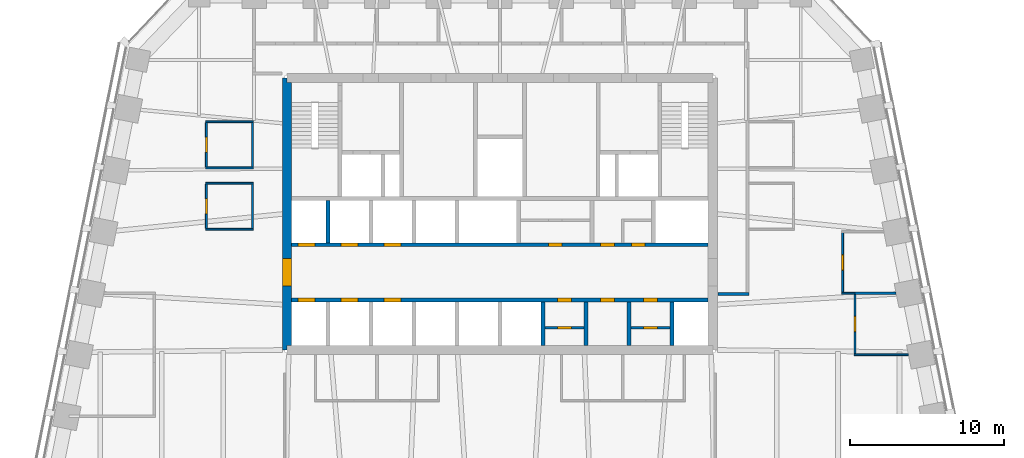
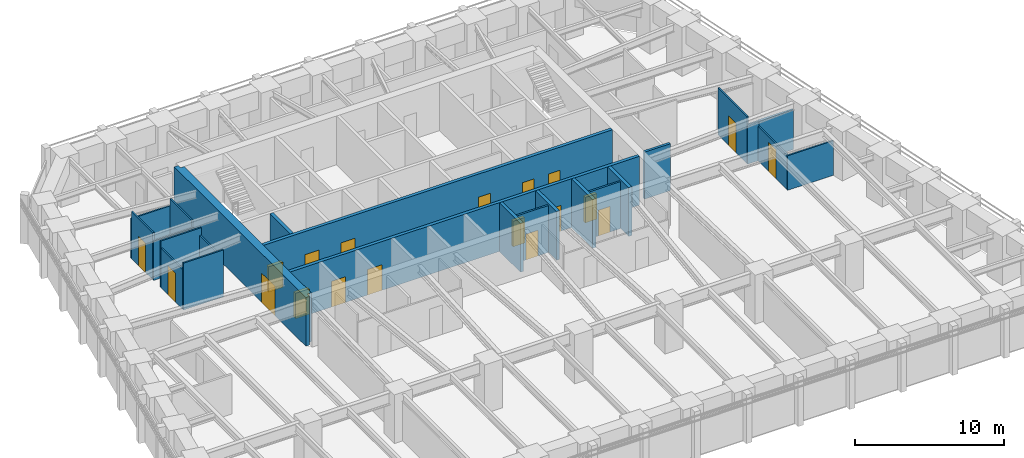
# One storey, part 6 of 10: 24 walls, 19 doors, 19 openings.
"""IFC4 building model written with IfcOpenShell, lengths in metres."""

from ifc_helpers import new_model, si_unit, direction, frame, frame_2d, origin, place, context, subcontext, project, spatial, polyline, rectangle, outline, extrude, material, layer, layer_set, type_object, element, fill, save


model = new_model("IFC4")

# Units and contexts
model_context = context("Model", 3, precision=1e-05, world=origin(), true_north=direction((0.0, 1.0)))
body_context = subcontext(model_context, "Body", "Model", "MODEL_VIEW")
ifc_project = project(units=[si_unit("LENGTHUNIT", "METRE"), si_unit("AREAUNIT", "SQUARE_METRE"), si_unit("VOLUMEUNIT", "CUBIC_METRE"), si_unit("PLANEANGLEUNIT", "RADIAN"), si_unit("MASSUNIT", "GRAM", prefix="KILO")], contexts=[model_context])

# Site, building, storey
site_placement = place(None, origin())
site = spatial("IfcSite", under=ifc_project, at=site_placement, CompositionType="ELEMENT")
building_placement = place(site_placement, origin())
building = spatial("IfcBuilding", under=site, at=building_placement, Name="Isbrekke Arena Tower", CompositionType="ELEMENT")
storey_placement = place(building_placement, frame((0.0, 0.0, 222.0)))
storey = spatial("IfcBuildingStorey", under=building, at=storey_placement, Name="L51", CompositionType="ELEMENT", Elevation=222.0)

# Wall, opening, door
ifc_material_1 = material(Name="Concrete B55 (C55/67)", Category="concrete")
ifc_layer_1 = layer(ifc_material_1, 0.60009765625)
ifc_layer_set_1 = layer_set([ifc_layer_1], Name="CW4 CORE WALL 600")
wall_type_1 = type_object("IfcWallType", Name="CW4 CORE WALL 600", PredefinedType="SHEAR", material=ifc_layer_set_1)
wall_1_placement = place(storey_placement, frame((-13.85009765625, 23.85009765625, 0.0), z_axis=(0.0, 0.0, 1.0), x_axis=(0.0, -1.0, 0.0)))
wall_1 = element("IfcWall", 1, at=wall_1_placement, inside=storey, type_object=wall_type_1, Name="Core wall W L51", PredefinedType="SHEAR", context=body_context, shape_type="SweptSolid", body=[
    extrude(outline(polyline([(0.0, -0.300048828125), (17.7001953125, -0.300048828125), (17.7001953125, 0.0), (17.400146484375, 0.0), (17.400146484375, 0.300048828125), (0.300048828125, 0.300048828125), (0.300048828125, 0.0), (0.0, 0.0), (0.0, -0.300048828125)])), origin(), (0.0, 0.0, 1.0), 4.0),
])
opening_1_placement = place(wall_1_placement, frame((11.75, 0.0, 0.0)))
opening_1 = element("IfcOpeningElement", 2, at=opening_1_placement, cuts=wall_1, Name="Opening D1", PredefinedType="OPENING", context=body_context, shape_type="SweptSolid", body=[
    extrude(rectangle(XDim=1.800048828125, YDim=2.39990234375, at=frame_2d((0.89990234375, 1.199951171875))), frame((0.0, 0.31494140625, 0.0), z_axis=(0.0, -1.0, 0.0), x_axis=(1.0, 0.0, 0.0)), (0.0, 0.0, 1.0), 0.6298828125),
])
ifc_material_2 = material(Name="Steel-framed glazed fire door", Category="steel")
door_type_1 = type_object("IfcDoorType", Name="D1 CORE LOBBY DOOR 1800 x 2400", OperationType="DOUBLE_DOOR_SINGLE_SWING", PredefinedType="DOOR", material=ifc_material_2)
door_1_placement = place(opening_1_placement, origin())
door_1 = element("IfcDoor", 3, at=door_1_placement, inside=storey, type_object=door_type_1, Name="D1 lift lobby door west L51", OperationType="DOUBLE_DOOR_SINGLE_SWING", OverallHeight=2.39990234375, OverallWidth=1.800048828125, PredefinedType="DOOR", context=body_context, shape_type="SweptSolid", body=[
    extrude(rectangle(XDim=1.800048828125, YDim=2.39990234375, at=frame_2d((0.89990234375, 1.199951171875))), frame((0.0, 0.2998046875, 0.0), z_axis=(0.0, -1.0, 0.0), x_axis=(1.0, 0.0, 0.0)), (0.0, 0.0, 1.0), 0.599609375),
])
fill(opening_1, door_1)

# Wall, openings, doors
ifc_material_3 = material(Name="Concrete B45 (C45/55)", Category="concrete")
ifc_layer_2 = layer(ifc_material_3, 0.25)
ifc_layer_set_2 = layer_set([ifc_layer_2], Name="CW6 SHAFT WALL 250")
wall_type_2 = type_object("IfcWallType", Name="CW6 SHAFT WALL 250", PredefinedType="SHEAR", material=ifc_layer_set_2)
wall_2_placement = place(storey_placement, frame((-13.550048828125, 9.39990234375, 0.0), z_axis=(0.0, 0.0, 1.0), x_axis=(1.0, 0.0, 0.0)))
wall_2 = element("IfcWall", 4, at=wall_2_placement, inside=storey, type_object=wall_type_2, Name="Core wall LS L51", PredefinedType="SHEAR", context=body_context, shape_type="SweptSolid", body=[
    extrude(rectangle(XDim=27.10009765625, YDim=0.25, at=frame_2d((13.550048828125, 0.0))), origin(), (0.0, 0.0, 1.0), 4.0),
])
opening_2_placement = place(wall_2_placement, frame((0.39990234375, 0.0, 0.0)))
opening_2 = element("IfcOpeningElement", 5, at=opening_2_placement, cuts=wall_2, Name="Opening LD1", PredefinedType="OPENING", context=body_context, shape_type="SweptSolid", body=[
    extrude(rectangle(XDim=1.10009765625, YDim=2.10009765625, at=frame_2d((0.550048828125, 1.050048828125))), frame((0.0, 0.139892578125, 0.0), z_axis=(0.0, -1.0, 0.0), x_axis=(1.0, 0.0, 0.0)), (0.0, 0.0, 1.0), 0.27978515625),
])
opening_3_placement = place(wall_2_placement, frame((3.199951171875, 0.0, 0.0)))
opening_3 = element("IfcOpeningElement", 6, at=opening_3_placement, cuts=wall_2, Name="Opening LD1", PredefinedType="OPENING", context=body_context, shape_type="SweptSolid", body=[
    extrude(rectangle(XDim=1.10009765625, YDim=2.10009765625, at=frame_2d((0.550048828125, 1.050048828125))), frame((0.0, 0.139892578125, 0.0), z_axis=(0.0, -1.0, 0.0), x_axis=(1.0, 0.0, 0.0)), (0.0, 0.0, 1.0), 0.27978515625),
])
opening_4_placement = place(wall_2_placement, frame((6.0, 0.0, 0.0)))
opening_4 = element("IfcOpeningElement", 7, at=opening_4_placement, cuts=wall_2, Name="Opening LD1", PredefinedType="OPENING", context=body_context, shape_type="SweptSolid", body=[
    extrude(rectangle(XDim=1.10009765625, YDim=2.10009765625, at=frame_2d((0.550048828125, 1.050048828125))), frame((0.0, 0.139892578125, 0.0), z_axis=(0.0, -1.0, 0.0), x_axis=(1.0, 0.0, 0.0)), (0.0, 0.0, 1.0), 0.27978515625),
])
opening_5_placement = place(wall_2_placement, frame((17.300048828125, 0.0, 0.0)))
opening_5 = element("IfcOpeningElement", 8, at=opening_5_placement, cuts=wall_2, Name="Opening D5", PredefinedType="OPENING", context=body_context, shape_type="SweptSolid", body=[
    extrude(rectangle(XDim=0.89990234375, YDim=2.10009765625, at=frame_2d((0.449951171875, 1.050048828125))), frame((0.0, 0.139892578125, 0.0), z_axis=(0.0, -1.0, 0.0), x_axis=(1.0, 0.0, 0.0)), (0.0, 0.0, 1.0), 0.27978515625),
])
opening_6_placement = place(wall_2_placement, frame((20.10009765625, 0.0, 0.0)))
opening_6 = element("IfcOpeningElement", 9, at=opening_6_placement, cuts=wall_2, Name="Opening D5", PredefinedType="OPENING", context=body_context, shape_type="SweptSolid", body=[
    extrude(rectangle(XDim=0.89990234375, YDim=2.10009765625, at=frame_2d((0.449951171875, 1.050048828125))), frame((0.0, 0.139892578125, 0.0), z_axis=(0.0, -1.0, 0.0), x_axis=(1.0, 0.0, 0.0)), (0.0, 0.0, 1.0), 0.27978515625),
])
opening_7_placement = place(wall_2_placement, frame((22.89990234375, 0.0, 0.0)))
opening_7 = element("IfcOpeningElement", 10, at=opening_7_placement, cuts=wall_2, Name="Opening D5", PredefinedType="OPENING", context=body_context, shape_type="SweptSolid", body=[
    extrude(rectangle(XDim=0.89990234375, YDim=2.10009765625, at=frame_2d((0.449951171875, 1.050048828125))), frame((0.0, 0.139892578125, 0.0), z_axis=(0.0, -1.0, 0.0), x_axis=(1.0, 0.0, 0.0)), (0.0, 0.0, 1.0), 0.27978515625),
])
ifc_material_4 = material(Name="Steel fire door", Category="steel")
door_type_2 = type_object("IfcDoorType", Name="D5 SERVICE DOOR 900 x 2100", OperationType="SINGLE_SWING_LEFT", PredefinedType="DOOR", material=ifc_material_4)
door_2_placement = place(opening_5_placement, origin())
door_2 = element("IfcDoor", 11, at=door_2_placement, inside=storey, type_object=door_type_2, Name="D5 tea point door L51", OperationType="SINGLE_SWING_LEFT", OverallHeight=2.10009765625, OverallWidth=0.89990234375, PredefinedType="DOOR", context=body_context, shape_type="SweptSolid", body=[
    extrude(rectangle(XDim=0.89990234375, YDim=2.10009765625, at=frame_2d((0.449951171875, 1.050048828125))), frame((0.0, 0.124755859375, 0.0), z_axis=(0.0, -1.0, 0.0), x_axis=(1.0, 0.0, 0.0)), (0.0, 0.0, 1.0), 0.24951171875),
])
fill(opening_5, door_2)
door_3_placement = place(opening_6_placement, origin())
door_3 = element("IfcDoor", 12, at=door_3_placement, inside=storey, type_object=door_type_2, Name="D5 technical room door L51", OperationType="SINGLE_SWING_LEFT", OverallHeight=2.10009765625, OverallWidth=0.89990234375, PredefinedType="DOOR", context=body_context, shape_type="SweptSolid", body=[
    extrude(rectangle(XDim=0.89990234375, YDim=2.10009765625, at=frame_2d((0.449951171875, 1.050048828125))), frame((0.0, 0.124755859375, 0.0), z_axis=(0.0, -1.0, 0.0), x_axis=(1.0, 0.0, 0.0)), (0.0, 0.0, 1.0), 0.24951171875),
])
fill(opening_6, door_3)
door_4_placement = place(opening_7_placement, origin())
door_4 = element("IfcDoor", 13, at=door_4_placement, inside=storey, type_object=door_type_2, Name="D5 first-aid room door L51", OperationType="SINGLE_SWING_LEFT", OverallHeight=2.10009765625, OverallWidth=0.89990234375, PredefinedType="DOOR", context=body_context, shape_type="SweptSolid", body=[
    extrude(rectangle(XDim=0.89990234375, YDim=2.10009765625, at=frame_2d((0.449951171875, 1.050048828125))), frame((0.0, 0.124755859375, 0.0), z_axis=(0.0, -1.0, 0.0), x_axis=(1.0, 0.0, 0.0)), (0.0, 0.0, 1.0), 0.24951171875),
])
fill(opening_7, door_4)
ifc_material_5 = material(Name="Stainless steel lift landing door", Category="steel")
door_type_3 = type_object("IfcDoorType", Name="LD1 LIFT LANDING DOOR 1100 x 2100", OperationType="SLIDING_TO_LEFT", PredefinedType="DOOR", material=ifc_material_5)
door_5_placement = place(opening_2_placement, origin())
door_5 = element("IfcDoor", 14, at=door_5_placement, inside=storey, type_object=door_type_3, Name="LD1 lift landing door LC L51", OperationType="SLIDING_TO_LEFT", OverallHeight=2.10009765625, OverallWidth=1.10009765625, PredefinedType="DOOR", context=body_context, shape_type="SweptSolid", body=[
    extrude(rectangle(XDim=1.10009765625, YDim=2.10009765625, at=frame_2d((0.550048828125, 1.050048828125))), frame((0.0, 0.124755859375, 0.0), z_axis=(0.0, -1.0, 0.0), x_axis=(1.0, 0.0, 0.0)), (0.0, 0.0, 1.0), 0.24951171875),
])
fill(opening_2, door_5)
door_6_placement = place(opening_3_placement, origin())
door_6 = element("IfcDoor", 15, at=door_6_placement, inside=storey, type_object=door_type_3, Name="LD1 lift landing door LC L51", OperationType="SLIDING_TO_LEFT", OverallHeight=2.10009765625, OverallWidth=1.10009765625, PredefinedType="DOOR", context=body_context, shape_type="SweptSolid", body=[
    extrude(rectangle(XDim=1.10009765625, YDim=2.10009765625, at=frame_2d((0.550048828125, 1.050048828125))), frame((0.0, 0.124755859375, 0.0), z_axis=(0.0, -1.0, 0.0), x_axis=(1.0, 0.0, 0.0)), (0.0, 0.0, 1.0), 0.24951171875),
])
fill(opening_3, door_6)
door_7_placement = place(opening_4_placement, origin())
door_7 = element("IfcDoor", 16, at=door_7_placement, inside=storey, type_object=door_type_3, Name="LD1 lift landing door LC L51", OperationType="SLIDING_TO_LEFT", OverallHeight=2.10009765625, OverallWidth=1.10009765625, PredefinedType="DOOR", context=body_context, shape_type="SweptSolid", body=[
    extrude(rectangle(XDim=1.10009765625, YDim=2.10009765625, at=frame_2d((0.550048828125, 1.050048828125))), frame((0.0, 0.124755859375, 0.0), z_axis=(0.0, -1.0, 0.0), x_axis=(1.0, 0.0, 0.0)), (0.0, 0.0, 1.0), 0.24951171875),
])
fill(opening_4, door_7)

wall_3_placement = place(storey_placement, frame((-13.550048828125, 13.0, 0.0), z_axis=(0.0, 0.0, 1.0), x_axis=(1.0, 0.0, 0.0)))
wall_3 = element("IfcWall", 17, at=wall_3_placement, inside=storey, type_object=wall_type_2, Name="Core wall LN L51", PredefinedType="SHEAR", context=body_context, shape_type="SweptSolid", body=[
    extrude(rectangle(XDim=27.10009765625, YDim=0.25, at=frame_2d((13.550048828125, 0.0))), origin(), (0.0, 0.0, 1.0), 4.0),
])
opening_8_placement = place(wall_3_placement, frame((0.39990234375, 0.0, 0.0)))
opening_8 = element("IfcOpeningElement", 18, at=opening_8_placement, cuts=wall_3, Name="Opening LD1", PredefinedType="OPENING", context=body_context, shape_type="SweptSolid", body=[
    extrude(rectangle(XDim=1.10009765625, YDim=2.10009765625, at=frame_2d((0.550048828125, 1.050048828125))), frame((0.0, 0.139892578125, 0.0), z_axis=(0.0, -1.0, 0.0), x_axis=(1.0, 0.0, 0.0)), (0.0, 0.0, 1.0), 0.27978515625),
])
opening_9_placement = place(wall_3_placement, frame((3.199951171875, 0.0, 0.0)))
opening_9 = element("IfcOpeningElement", 19, at=opening_9_placement, cuts=wall_3, Name="Opening LD1", PredefinedType="OPENING", context=body_context, shape_type="SweptSolid", body=[
    extrude(rectangle(XDim=1.10009765625, YDim=2.10009765625, at=frame_2d((0.550048828125, 1.050048828125))), frame((0.0, 0.139892578125, 0.0), z_axis=(0.0, -1.0, 0.0), x_axis=(1.0, 0.0, 0.0)), (0.0, 0.0, 1.0), 0.27978515625),
])
opening_10_placement = place(wall_3_placement, frame((6.0, 0.0, 0.0)))
opening_10 = element("IfcOpeningElement", 20, at=opening_10_placement, cuts=wall_3, Name="Opening LD1", PredefinedType="OPENING", context=body_context, shape_type="SweptSolid", body=[
    extrude(rectangle(XDim=1.10009765625, YDim=2.10009765625, at=frame_2d((0.550048828125, 1.050048828125))), frame((0.0, 0.139892578125, 0.0), z_axis=(0.0, -1.0, 0.0), x_axis=(1.0, 0.0, 0.0)), (0.0, 0.0, 1.0), 0.27978515625),
])
opening_11_placement = place(wall_3_placement, frame((16.699951171875, 0.0, 0.0)))
opening_11 = element("IfcOpeningElement", 21, at=opening_11_placement, cuts=wall_3, Name="Opening D5", PredefinedType="OPENING", context=body_context, shape_type="SweptSolid", body=[
    extrude(rectangle(XDim=0.89990234375, YDim=2.10009765625, at=frame_2d((0.449951171875, 1.050048828125))), frame((0.0, 0.139892578125, 0.0), z_axis=(0.0, -1.0, 0.0), x_axis=(1.0, 0.0, 0.0)), (0.0, 0.0, 1.0), 0.27978515625),
])
opening_12_placement = place(wall_3_placement, frame((20.10009765625, 0.0, 0.0)))
opening_12 = element("IfcOpeningElement", 22, at=opening_12_placement, cuts=wall_3, Name="Opening D5", PredefinedType="OPENING", context=body_context, shape_type="SweptSolid", body=[
    extrude(rectangle(XDim=0.89990234375, YDim=2.10009765625, at=frame_2d((0.449951171875, 1.050048828125))), frame((0.0, 0.139892578125, 0.0), z_axis=(0.0, -1.0, 0.0), x_axis=(1.0, 0.0, 0.0)), (0.0, 0.0, 1.0), 0.27978515625),
])
opening_13_placement = place(wall_3_placement, frame((22.10009765625, 0.0, 0.0)))
opening_13 = element("IfcOpeningElement", 23, at=opening_13_placement, cuts=wall_3, Name="Opening D5", PredefinedType="OPENING", context=body_context, shape_type="SweptSolid", body=[
    extrude(rectangle(XDim=0.89990234375, YDim=2.10009765625, at=frame_2d((0.449951171875, 1.050048828125))), frame((0.0, 0.139892578125, 0.0), z_axis=(0.0, -1.0, 0.0), x_axis=(1.0, 0.0, 0.0)), (0.0, 0.0, 1.0), 0.27978515625),
])
door_8_placement = place(opening_11_placement, origin())
door_8 = element("IfcDoor", 24, at=door_8_placement, inside=storey, type_object=door_type_2, Name="D5 print room door L51", OperationType="SINGLE_SWING_LEFT", OverallHeight=2.10009765625, OverallWidth=0.89990234375, PredefinedType="DOOR", context=body_context, shape_type="SweptSolid", body=[
    extrude(rectangle(XDim=0.89990234375, YDim=2.10009765625, at=frame_2d((0.449951171875, 1.050048828125))), frame((0.0, 0.124755859375, 0.0), z_axis=(0.0, -1.0, 0.0), x_axis=(1.0, 0.0, 0.0)), (0.0, 0.0, 1.0), 0.24951171875),
])
fill(opening_11, door_8)
door_9_placement = place(opening_12_placement, origin())
door_9 = element("IfcDoor", 25, at=door_9_placement, inside=storey, type_object=door_type_2, Name="D5 communications room door L51", OperationType="SINGLE_SWING_LEFT", OverallHeight=2.10009765625, OverallWidth=0.89990234375, PredefinedType="DOOR", context=body_context, shape_type="SweptSolid", body=[
    extrude(rectangle(XDim=0.89990234375, YDim=2.10009765625, at=frame_2d((0.449951171875, 1.050048828125))), frame((0.0, 0.124755859375, 0.0), z_axis=(0.0, -1.0, 0.0), x_axis=(1.0, 0.0, 0.0)), (0.0, 0.0, 1.0), 0.24951171875),
])
fill(opening_12, door_9)
door_10_placement = place(opening_13_placement, origin())
door_10 = element("IfcDoor", 26, at=door_10_placement, inside=storey, type_object=door_type_2, Name="D5 cleaner's store door L51", OperationType="SINGLE_SWING_LEFT", OverallHeight=2.10009765625, OverallWidth=0.89990234375, PredefinedType="DOOR", context=body_context, shape_type="SweptSolid", body=[
    extrude(rectangle(XDim=0.89990234375, YDim=2.10009765625, at=frame_2d((0.449951171875, 1.050048828125))), frame((0.0, 0.124755859375, 0.0), z_axis=(0.0, -1.0, 0.0), x_axis=(1.0, 0.0, 0.0)), (0.0, 0.0, 1.0), 0.24951171875),
])
fill(opening_13, door_10)
door_11_placement = place(opening_8_placement, origin())
door_11 = element("IfcDoor", 27, at=door_11_placement, inside=storey, type_object=door_type_3, Name="LD1 lift landing door LC L51", OperationType="SLIDING_TO_LEFT", OverallHeight=2.10009765625, OverallWidth=1.10009765625, PredefinedType="DOOR", context=body_context, shape_type="SweptSolid", body=[
    extrude(rectangle(XDim=1.10009765625, YDim=2.10009765625, at=frame_2d((0.550048828125, 1.050048828125))), frame((0.0, 0.124755859375, 0.0), z_axis=(0.0, -1.0, 0.0), x_axis=(1.0, 0.0, 0.0)), (0.0, 0.0, 1.0), 0.24951171875),
])
fill(opening_8, door_11)
door_12_placement = place(opening_9_placement, origin())
door_12 = element("IfcDoor", 28, at=door_12_placement, inside=storey, type_object=door_type_3, Name="LD1 lift landing door LC L51", OperationType="SLIDING_TO_LEFT", OverallHeight=2.10009765625, OverallWidth=1.10009765625, PredefinedType="DOOR", context=body_context, shape_type="SweptSolid", body=[
    extrude(rectangle(XDim=1.10009765625, YDim=2.10009765625, at=frame_2d((0.550048828125, 1.050048828125))), frame((0.0, 0.124755859375, 0.0), z_axis=(0.0, -1.0, 0.0), x_axis=(1.0, 0.0, 0.0)), (0.0, 0.0, 1.0), 0.24951171875),
])
fill(opening_9, door_12)
door_13_placement = place(opening_10_placement, origin())
door_13 = element("IfcDoor", 29, at=door_13_placement, inside=storey, type_object=door_type_3, Name="LD1 lift landing door LC L51", OperationType="SLIDING_TO_LEFT", OverallHeight=2.10009765625, OverallWidth=1.10009765625, PredefinedType="DOOR", context=body_context, shape_type="SweptSolid", body=[
    extrude(rectangle(XDim=1.10009765625, YDim=2.10009765625, at=frame_2d((0.550048828125, 1.050048828125))), frame((0.0, 0.124755859375, 0.0), z_axis=(0.0, -1.0, 0.0), x_axis=(1.0, 0.0, 0.0)), (0.0, 0.0, 1.0), 0.24951171875),
])
fill(opening_10, door_13)

# Walls
for number, where, z_axis, x_axis, name in (
    (30, (2.800048828125, 6.449951171875, 0.0), (0.0, 0.0, 1.0), (0.0, 1.0, 0.0), "Core wall SS06 L51"),
    (31, (5.60009765625, 6.449951171875, 0.0), (0.0, 0.0, 1.0), (0.0, 1.0, 0.0), "Core wall SS07 L51"),
    (32, (8.39990234375, 6.449951171875, 0.0), (0.0, 0.0, 1.0), (0.0, 1.0, 0.0), "Core wall SS08 L51"),
    (33, (11.199951171875, 6.449951171875, 0.0), (0.0, 0.0, 1.0), (0.0, 1.0, 0.0), "Core wall SS09 L51"),
):
    element("IfcWall", number, at=place(storey_placement, frame(where, z_axis=z_axis, x_axis=x_axis)), inside=storey, type_object=wall_type_2, Name=name, PredefinedType="SHEAR", context=body_context, shape_type="SweptSolid", body=[
        extrude(rectangle(XDim=2.824951171875, YDim=0.25, at=frame_2d((1.41259765625, 0.0))), origin(), (0.0, 0.0, 1.0), 4.0),
    ])
wall_4_placement = place(storey_placement, frame((-11.199951171875, 13.125, 0.0), z_axis=(0.0, 0.0, 1.0), x_axis=(0.0, 1.0, 0.0)))
element("IfcWall", 34, at=wall_4_placement, inside=storey, type_object=wall_type_2, Name="Core wall SN01 L51", PredefinedType="SHEAR", context=body_context, shape_type="SweptSolid", body=[
    extrude(rectangle(XDim=2.75, YDim=0.25, at=frame_2d((1.375, 0.0))), origin(), (0.0, 0.0, 1.0), 4.0),
])
ifc_material_6 = material(Name="Frameless glazed partition, laminated acoustic glass", Category="glass")
ifc_layer_3 = layer(ifc_material_6, 0.1201171875)
ifc_layer_set_3 = layer_set([ifc_layer_3], Name="IW2 GLAZED PARTITION 120")
wall_type_3 = type_object("IfcWallType", Name="IW2 GLAZED PARTITION 120", PredefinedType="PARTITIONING", material=ifc_layer_set_3)
wall_5_placement = place(storey_placement, frame((23.0400390625, 5.840087890625, 0.0), z_axis=(0.0, 0.0, 1.0), x_axis=(1.0, 0.0, 0.0)))
element("IfcWall", 35, at=wall_5_placement, inside=storey, type_object=wall_type_3, Name="IW2 glazed partition 120 L51", PredefinedType="PARTITIONING", context=body_context, shape_type="SweptSolid", body=[
    extrude(rectangle(XDim=3.53466796875, YDim=0.1201171875, at=frame_2d((1.767333984375, 0.0))), origin(), (0.0, 0.0, 1.0), 2.842041015625),
])
wall_6_placement = place(storey_placement, frame((22.239990234375, 9.840087890625, 0.0), z_axis=(0.0, 0.0, 1.0), x_axis=(1.0, 0.0, 0.0)))
element("IfcWall", 36, at=wall_6_placement, inside=storey, type_object=wall_type_3, Name="IW2 glazed partition 120 L51", PredefinedType="PARTITIONING", context=body_context, shape_type="SweptSolid", body=[
    extrude(rectangle(XDim=0.860107421875, YDim=0.1201171875, at=frame_2d((0.43017578125, 0.0))), origin(), (0.0, 0.0, 1.0), 3.25),
])
for number, where, z_axis, x_axis, name in (
    (37, (-19.159912109375, 14.0, 0.0), (0.0, 0.0, 1.0), (1.0, 0.0, 0.0), "IW2 glazed partition 120 L51"),
    (38, (-19.159912109375, 17.0, 0.0), (0.0, 0.0, 1.0), (1.0, 0.0, 0.0), "IW2 glazed partition 120 L51"),
):
    element("IfcWall", number, at=place(storey_placement, frame(where, z_axis=z_axis, x_axis=x_axis)), inside=storey, type_object=wall_type_3, Name=name, PredefinedType="PARTITIONING", context=body_context, shape_type="SweptSolid", body=[
        extrude(rectangle(XDim=3.119873046875, YDim=0.1201171875, at=frame_2d((1.56005859375, 0.0))), origin(), (0.0, 0.0, 1.0), 3.85009765625),
    ])
for number, where, z_axis, x_axis, name in (
    (39, (-19.159912109375, 18.0, 0.0), (0.0, 0.0, 1.0), (1.0, 0.0, 0.0), "IW2 glazed partition 120 L51"),
    (40, (-19.159912109375, 21.0, 0.0), (0.0, 0.0, 1.0), (1.0, 0.0, 0.0), "IW2 glazed partition 120 L51"),
):
    element("IfcWall", number, at=place(storey_placement, frame(where, z_axis=z_axis, x_axis=x_axis)), inside=storey, type_object=wall_type_3, Name=name, PredefinedType="PARTITIONING", context=body_context, shape_type="SweptSolid", body=[
        extrude(rectangle(XDim=3.119873046875, YDim=0.1201171875, at=frame_2d((1.56005859375, 0.0))), origin(), (0.0, 0.0, 1.0), 3.25),
    ])

# Wall, opening, door
wall_7_placement = place(storey_placement, frame((-19.10009765625, 14.06005859375, 0.0), z_axis=(0.0, 0.0, 1.0), x_axis=(0.0, 1.0, 0.0)))
wall_7 = element("IfcWall", 41, at=wall_7_placement, inside=storey, type_object=wall_type_3, Name="IW2 glazed partition 120 L51", PredefinedType="PARTITIONING", context=body_context, shape_type="SweptSolid", body=[
    extrude(rectangle(XDim=2.8798828125, YDim=0.1201171875, at=frame_2d((1.43994140625, 0.0))), origin(), (0.0, 0.0, 1.0), 3.25),
])
opening_14_placement = place(wall_7_placement, frame((0.93994140625, 0.0, 0.0)))
opening_14 = element("IfcOpeningElement", 42, at=opening_14_placement, cuts=wall_7, Name="Opening D11", PredefinedType="OPENING", context=body_context, shape_type="SweptSolid", body=[
    extrude(rectangle(XDim=1.0, YDim=2.39990234375, at=frame_2d((0.5, 1.199951171875))), frame((0.0, 0.074951171875, 0.0), z_axis=(0.0, -1.0, 0.0), x_axis=(1.0, 0.0, 0.0)), (0.0, 0.0, 1.0), 0.14990234375),
])
ifc_material_7 = material(Name="Frameless glazed door", Category="glass")
door_type_4 = type_object("IfcDoorType", Name="D11 GLAZED MEETING ROOM DOOR 1000 x 2400", OperationType="SINGLE_SWING_RIGHT", PredefinedType="DOOR", material=ifc_material_7)
door_14_placement = place(opening_14_placement, origin())
door_14 = element("IfcDoor", 43, at=door_14_placement, inside=storey, type_object=door_type_4, Name="D11 quiet room door L51", OperationType="SINGLE_SWING_RIGHT", OverallHeight=2.39990234375, OverallWidth=1.0, PredefinedType="DOOR", context=body_context, shape_type="SweptSolid", body=[
    extrude(rectangle(XDim=1.0, YDim=2.39990234375, at=frame_2d((0.5, 1.199951171875))), frame((0.0, 0.059814453125, 0.0), z_axis=(0.0, -1.0, 0.0), x_axis=(1.0, 0.0, 0.0)), (0.0, 0.0, 1.0), 0.11962890625),
])
fill(opening_14, door_14)

wall_8_placement = place(storey_placement, frame((-19.10009765625, 18.06005859375, 0.0), z_axis=(0.0, 0.0, 1.0), x_axis=(0.0, 1.0, 0.0)))
wall_8 = element("IfcWall", 44, at=wall_8_placement, inside=storey, type_object=wall_type_3, Name="IW2 glazed partition 120 L51", PredefinedType="PARTITIONING", context=body_context, shape_type="SweptSolid", body=[
    extrude(rectangle(XDim=2.8798828125, YDim=0.1201171875, at=frame_2d((1.43994140625, 0.0))), origin(), (0.0, 0.0, 1.0), 3.85009765625),
])
opening_15_placement = place(wall_8_placement, frame((0.93994140625, 0.0, 0.0)))
opening_15 = element("IfcOpeningElement", 45, at=opening_15_placement, cuts=wall_8, Name="Opening D11", PredefinedType="OPENING", context=body_context, shape_type="SweptSolid", body=[
    extrude(rectangle(XDim=1.0, YDim=2.39990234375, at=frame_2d((0.5, 1.199951171875))), frame((0.0, 0.074951171875, 0.0), z_axis=(0.0, -1.0, 0.0), x_axis=(1.0, 0.0, 0.0)), (0.0, 0.0, 1.0), 0.14990234375),
])
door_15_placement = place(opening_15_placement, origin())
door_15 = element("IfcDoor", 46, at=door_15_placement, inside=storey, type_object=door_type_4, Name="D11 quiet room door L51", OperationType="SINGLE_SWING_RIGHT", OverallHeight=2.39990234375, OverallWidth=1.0, PredefinedType="DOOR", context=body_context, shape_type="SweptSolid", body=[
    extrude(rectangle(XDim=1.0, YDim=2.39990234375, at=frame_2d((0.5, 1.199951171875))), frame((0.0, 0.059814453125, 0.0), z_axis=(0.0, -1.0, 0.0), x_axis=(1.0, 0.0, 0.0)), (0.0, 0.0, 1.0), 0.11962890625),
])
fill(opening_15, door_15)

# Walls
wall_9_placement = place(storey_placement, frame((-16.10009765625, 14.06005859375, 0.0), z_axis=(0.0, 0.0, 1.0), x_axis=(0.0, 1.0, 0.0)))
element("IfcWall", 47, at=wall_9_placement, inside=storey, type_object=wall_type_3, Name="IW2 glazed partition 120 L51", PredefinedType="PARTITIONING", context=body_context, shape_type="SweptSolid", body=[
    extrude(rectangle(XDim=2.8798828125, YDim=0.1201171875, at=frame_2d((1.43994140625, 0.0))), origin(), (0.0, 0.0, 1.0), 3.25),
])
wall_10_placement = place(storey_placement, frame((-16.10009765625, 18.06005859375, 0.0), z_axis=(0.0, 0.0, 1.0), x_axis=(0.0, 1.0, 0.0)))
element("IfcWall", 48, at=wall_10_placement, inside=storey, type_object=wall_type_3, Name="IW2 glazed partition 120 L51", PredefinedType="PARTITIONING", context=body_context, shape_type="SweptSolid", body=[
    extrude(rectangle(XDim=2.8798828125, YDim=0.1201171875, at=frame_2d((1.43994140625, 0.0))), origin(), (0.0, 0.0, 1.0), 3.85009765625),
])

# Wall, opening, door
wall_11_placement = place(storey_placement, frame((22.300048828125, 9.89990234375, 0.0), z_axis=(0.0, 0.0, 1.0), x_axis=(0.0, 1.0, 0.0)))
wall_11 = element("IfcWall", 49, at=wall_11_placement, inside=storey, type_object=wall_type_3, Name="IW2 glazed partition 120 L51", PredefinedType="PARTITIONING", context=body_context, shape_type="SweptSolid", body=[
    extrude(rectangle(XDim=3.880126953125, YDim=0.1201171875, at=frame_2d((1.93994140625, 0.0))), origin(), (0.0, 0.0, 1.0), 3.85009765625),
])
opening_16_placement = place(wall_11_placement, frame((1.43994140625, 0.0, 0.0)))
opening_16 = element("IfcOpeningElement", 50, at=opening_16_placement, cuts=wall_11, Name="Opening D11", PredefinedType="OPENING", context=body_context, shape_type="SweptSolid", body=[
    extrude(rectangle(XDim=1.0, YDim=2.39990234375, at=frame_2d((0.5, 1.199951171875))), frame((0.0, 0.074951171875, 0.0), z_axis=(0.0, -1.0, 0.0), x_axis=(1.0, 0.0, 0.0)), (0.0, 0.0, 1.0), 0.14990234375),
])
door_16_placement = place(opening_16_placement, origin())
door_16 = element("IfcDoor", 51, at=door_16_placement, inside=storey, type_object=door_type_4, Name="D11 meeting room door L51", OperationType="SINGLE_SWING_RIGHT", OverallHeight=2.39990234375, OverallWidth=1.0, PredefinedType="DOOR", context=body_context, shape_type="SweptSolid", body=[
    extrude(rectangle(XDim=1.0, YDim=2.39990234375, at=frame_2d((0.5, 1.199951171875))), frame((0.0, 0.059814453125, 0.0), z_axis=(0.0, -1.0, 0.0), x_axis=(1.0, 0.0, 0.0)), (0.0, 0.0, 1.0), 0.11962890625),
])
fill(opening_16, door_16)

wall_12_placement = place(storey_placement, frame((23.10009765625, 5.89990234375, 0.0), z_axis=(0.0, 0.0, 1.0), x_axis=(0.0, 1.0, 0.0)))
wall_12 = element("IfcWall", 52, at=wall_12_placement, inside=storey, type_object=wall_type_3, Name="IW2 glazed partition 120 L51", PredefinedType="PARTITIONING", context=body_context, shape_type="SweptSolid", body=[
    extrude(rectangle(XDim=3.8525390625, YDim=0.1201171875, at=frame_2d((1.92626953125, 0.0))), origin(), (0.0, 0.0, 1.0), 2.842041015625),
])
opening_17_placement = place(wall_12_placement, frame((1.43994140625, 0.0, 0.0)))
opening_17 = element("IfcOpeningElement", 53, at=opening_17_placement, cuts=wall_12, Name="Opening D11", PredefinedType="OPENING", context=body_context, shape_type="SweptSolid", body=[
    extrude(rectangle(XDim=1.0, YDim=2.39990234375, at=frame_2d((0.5, 1.199951171875))), frame((0.0, 0.074951171875, 0.0), z_axis=(0.0, -1.0, 0.0), x_axis=(1.0, 0.0, 0.0)), (0.0, 0.0, 1.0), 0.14990234375),
])
door_17_placement = place(opening_17_placement, origin())
door_17 = element("IfcDoor", 54, at=door_17_placement, inside=storey, type_object=door_type_4, Name="D11 meeting room door L51", OperationType="SINGLE_SWING_RIGHT", OverallHeight=2.39990234375, OverallWidth=1.0, PredefinedType="DOOR", context=body_context, shape_type="SweptSolid", body=[
    extrude(rectangle(XDim=1.0, YDim=2.39990234375, at=frame_2d((0.5, 1.199951171875))), frame((0.0, 0.059814453125, 0.0), z_axis=(0.0, -1.0, 0.0), x_axis=(1.0, 0.0, 0.0)), (0.0, 0.0, 1.0), 0.11962890625),
])
fill(opening_17, door_17)

# Walls
ifc_material_8 = material(Name="Gypsum board fire-cell wall on steel studs, two layers each side", Category="steel")
ifc_layer_4 = layer(ifc_material_8, 0.199951171875)
ifc_layer_set_4 = layer_set([ifc_layer_4], Name="IW3 FIRE-CELL WALL 200")
wall_type_4 = type_object("IfcWallType", Name="IW3 FIRE-CELL WALL 200", PredefinedType="PARTITIONING", material=ifc_layer_set_4)
wall_13_placement = place(storey_placement, frame((14.179931640625, 9.800048828125, 0.0), z_axis=(0.0, 0.0, 1.0), x_axis=(1.0, 0.0, 0.0)))
element("IfcWall", 55, at=wall_13_placement, inside=storey, type_object=wall_type_4, Name="IW3 fire-cell wall 200 L51", PredefinedType="PARTITIONING", context=body_context, shape_type="SweptSolid", body=[
    extrude(rectangle(XDim=2.02001953125, YDim=0.199951171875, at=frame_2d((1.010009765625, 0.0))), origin(), (0.0, 0.0, 1.0), 3.85009765625),
])
ifc_material_9 = material(Name="Gypsum board acoustic partition on twin steel studs", Category="steel")
ifc_layer_5 = layer(ifc_material_9, 0.175048828125)
ifc_layer_set_5 = layer_set([ifc_layer_5], Name="IW4 ACOUSTIC PARTITION 175")
wall_type_5 = type_object("IfcWallType", Name="IW4 ACOUSTIC PARTITION 175", PredefinedType="PARTITIONING", material=ifc_layer_set_5)
wall_14_placement = place(storey_placement, frame((23.10009765625, 9.840087890625, 0.0), z_axis=(0.0, 0.0, 1.0), x_axis=(1.0, 0.0, 0.0)))
element("IfcWall", 56, at=wall_14_placement, inside=storey, type_object=wall_type_5, Name="IW4 acoustic partition 175 L51", PredefinedType="PARTITIONING", context=body_context, shape_type="SweptSolid", body=[
    extrude(rectangle(XDim=2.6748046875, YDim=0.175048828125, at=frame_2d((1.33740234375, 0.0))), origin(), (0.0, 0.0, 1.0), 3.25),
])

# Wall, opening, door
ifc_material_10 = material(Name="Gypsum board fire-rated partition on steel studs, two layers each side", Category="steel")
ifc_layer_6 = layer(ifc_material_10, 0.14990234375)
ifc_layer_set_6 = layer_set([ifc_layer_6], Name="IW5 FIRE-RATED PARTITION 150")
wall_type_6 = type_object("IfcWallType", Name="IW5 FIRE-RATED PARTITION 150", PredefinedType="PARTITIONING", material=ifc_layer_set_6)
wall_15_placement = place(storey_placement, frame((2.925048828125, 7.60009765625, 0.0), z_axis=(0.0, 0.0, 1.0), x_axis=(1.0, 0.0, 0.0)))
wall_15 = element("IfcWall", 57, at=wall_15_placement, inside=storey, type_object=wall_type_6, Name="IW5 fire-rated partition L51 core service rooms 4", PredefinedType="PARTITIONING", context=body_context, shape_type="SweptSolid", body=[
    extrude(rectangle(XDim=2.550048828125, YDim=0.14990234375, at=frame_2d((1.27490234375, 0.0))), origin(), (0.0, 0.0, 1.0), 3.85009765625),
])
opening_18_placement = place(wall_15_placement, frame((0.824951171875, 0.0, 0.0)))
opening_18 = element("IfcOpeningElement", 58, at=opening_18_placement, cuts=wall_15, Name="Opening D5", PredefinedType="OPENING", context=body_context, shape_type="SweptSolid", body=[
    extrude(rectangle(XDim=0.89990234375, YDim=2.10009765625, at=frame_2d((0.449951171875, 1.050048828125))), frame((0.0, 0.08984375, 0.0), z_axis=(0.0, -1.0, 0.0), x_axis=(1.0, 0.0, 0.0)), (0.0, 0.0, 1.0), 0.1796875),
])
door_18_placement = place(opening_18_placement, origin())
door_18 = element("IfcDoor", 59, at=door_18_placement, inside=storey, type_object=door_type_2, Name="D5 store door L51", OperationType="SINGLE_SWING_LEFT", OverallHeight=2.10009765625, OverallWidth=0.89990234375, PredefinedType="DOOR", context=body_context, shape_type="SweptSolid", body=[
    extrude(rectangle(XDim=0.89990234375, YDim=2.10009765625, at=frame_2d((0.449951171875, 1.050048828125))), frame((0.0, 0.07470703125, 0.0), z_axis=(0.0, -1.0, 0.0), x_axis=(1.0, 0.0, 0.0)), (0.0, 0.0, 1.0), 0.1494140625),
])
fill(opening_18, door_18)

wall_16_placement = place(storey_placement, frame((8.52490234375, 7.60009765625, 0.0), z_axis=(0.0, 0.0, 1.0), x_axis=(1.0, 0.0, 0.0)))
wall_16 = element("IfcWall", 60, at=wall_16_placement, inside=storey, type_object=wall_type_6, Name="IW5 fire-rated partition L51 core service rooms 5", PredefinedType="PARTITIONING", context=body_context, shape_type="SweptSolid", body=[
    extrude(rectangle(XDim=2.550048828125, YDim=0.14990234375, at=frame_2d((1.27490234375, 0.0))), origin(), (0.0, 0.0, 1.0), 3.85009765625),
])
opening_19_placement = place(wall_16_placement, frame((0.824951171875, 0.0, 0.0)))
opening_19 = element("IfcOpeningElement", 61, at=opening_19_placement, cuts=wall_16, Name="Opening D5", PredefinedType="OPENING", context=body_context, shape_type="SweptSolid", body=[
    extrude(rectangle(XDim=0.89990234375, YDim=2.10009765625, at=frame_2d((0.449951171875, 1.050048828125))), frame((0.0, 0.08984375, 0.0), z_axis=(0.0, -1.0, 0.0), x_axis=(1.0, 0.0, 0.0)), (0.0, 0.0, 1.0), 0.1796875),
])
door_19_placement = place(opening_19_placement, origin())
door_19 = element("IfcDoor", 62, at=door_19_placement, inside=storey, type_object=door_type_2, Name="D5 store door L51", OperationType="SINGLE_SWING_LEFT", OverallHeight=2.10009765625, OverallWidth=0.89990234375, PredefinedType="DOOR", context=body_context, shape_type="SweptSolid", body=[
    extrude(rectangle(XDim=0.89990234375, YDim=2.10009765625, at=frame_2d((0.449951171875, 1.050048828125))), frame((0.0, 0.07470703125, 0.0), z_axis=(0.0, -1.0, 0.0), x_axis=(1.0, 0.0, 0.0)), (0.0, 0.0, 1.0), 0.1494140625),
])
fill(opening_19, door_19)

save(model, "model.ifc")
